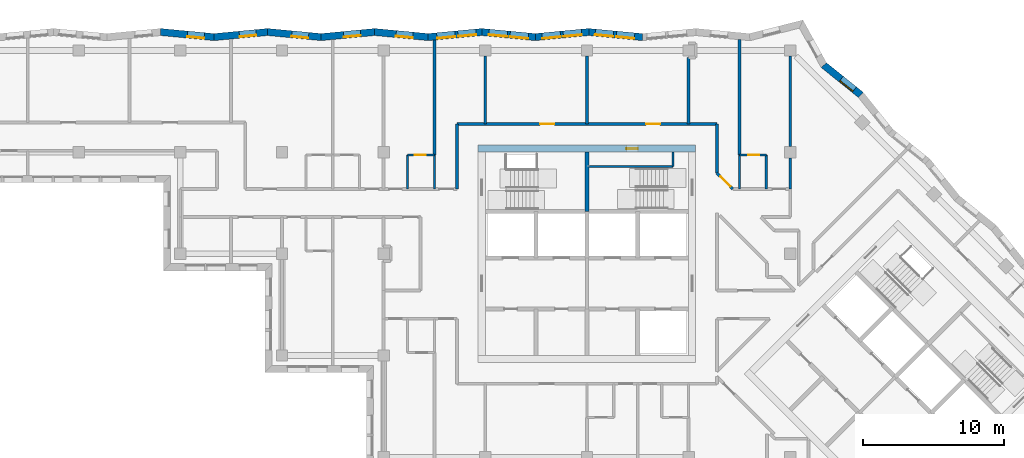
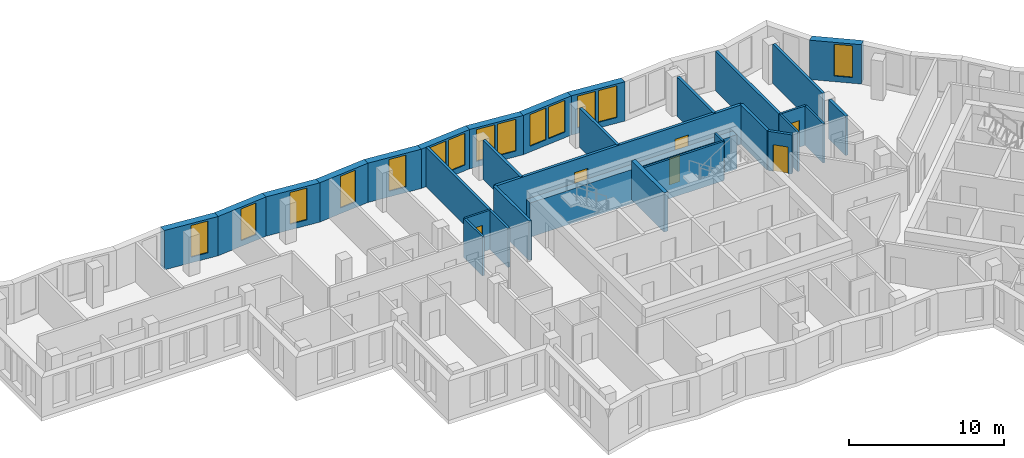
# One storey, part 6 of 11: 31 walls, 14 windows, 6 doors, 20 openings.
"""IFC4 building model written with IfcOpenShell, lengths in metres."""

from ifc_helpers import new_model, si_unit, direction, frame, frame_2d, origin, place, context, subcontext, project, spatial, polyline, rectangle, outline, extrude, material, layer, layer_set, type_object, element, fill, save


model = new_model("IFC4")

# Units and contexts
model_context = context("Model", 3, precision=1e-05, world=origin(), true_north=direction((0.0, 1.0)))
body_context = subcontext(model_context, "Body", "Model", "MODEL_VIEW")
ifc_project = project(units=[si_unit("LENGTHUNIT", "METRE"), si_unit("AREAUNIT", "SQUARE_METRE"), si_unit("VOLUMEUNIT", "CUBIC_METRE"), si_unit("PLANEANGLEUNIT", "RADIAN"), si_unit("MASSUNIT", "GRAM", prefix="KILO")], contexts=[model_context])

# Site, building, storey
site_placement = place(None, origin())
site = spatial("IfcSite", under=ifc_project, at=site_placement, CompositionType="ELEMENT")
building_placement = place(site_placement, origin())
building = spatial("IfcBuilding", under=site, at=building_placement, Name="Windrow Commons", CompositionType="ELEMENT")
storey_placement = place(building_placement, frame((0.0, 0.0, 196.4)))
storey = spatial("IfcBuildingStorey", under=building, at=storey_placement, Name="L53", CompositionType="ELEMENT", Elevation=196.4)

# Wall, opening, window
ifc_material_1 = material(Name="Brick masonry, red clay brick", Category="masonry")
ifc_layer_1 = layer(ifc_material_1, 0.5)
ifc_layer_set_1 = layer_set([ifc_layer_1], Name="Brick facade wall 500")
wall_type_1 = type_object("IfcWallType", Name="Brick facade wall 500", PredefinedType="SOLIDWALL", material=ifc_layer_set_1)
wall_1_placement = place(storey_placement, frame((84.2017, 68.8503, 0.0), z_axis=(0.0, 0.0, 1.0), x_axis=(-0.7792077814, 0.6267656926, 0.0)))
wall_1 = element("IfcWall", 1, at=wall_1_placement, inside=storey, type_object=wall_type_1, Name="Brick facade wall L53 15", PredefinedType="SOLIDWALL", context=body_context, shape_type="SweptSolid", body=[
    extrude(outline(polyline([(-0.0271, -0.25), (3.3219, -0.25), (3.4204, 0.25), (0.0271, 0.25), (-0.0271, -0.25)])), origin(), (0.0, 0.0, 1.0), 3.1),
])
opening_1_placement = place(wall_1_placement, frame((0.6019, 0.0, 0.45)))
opening_1 = element("IfcOpeningElement", 2, at=opening_1_placement, cuts=wall_1, Name="Opening W7E", PredefinedType="OPENING", context=body_context, shape_type="SweptSolid", body=[
    extrude(rectangle(XDim=1.2, YDim=2.5, at=frame_2d((0.6, 1.25))), frame((0.0, 0.26, 0.0), z_axis=(0.0, -1.0, 0.0), x_axis=(1.0, 0.0, 0.0)), (0.0, 0.0, 1.0), 0.52),
])
ifc_material_2 = material(Name="Clear float glass in anodised aluminium frame", Category="aluminium")
window_type_1 = type_object("IfcWindowType", Name="Window W7 notch 1200x2500", PartitioningType="SINGLE_PANEL", PredefinedType="WINDOW", material=ifc_material_2)
window_1_placement = place(opening_1_placement, origin())
window_1 = element("IfcWindow", 3, at=window_1_placement, inside=storey, type_object=window_type_1, Name="Window L53 15.1", OverallHeight=2.5, OverallWidth=1.2, PartitioningType="SINGLE_PANEL", PredefinedType="WINDOW", context=body_context, shape_type="SweptSolid", body=[
    extrude(rectangle(XDim=1.2, YDim=2.5, at=frame_2d((0.6, 1.25))), frame((0.0, 0.18, 0.0), z_axis=(0.0, -1.0, 0.0), x_axis=(1.0, 0.0, 0.0)), (0.0, 0.0, 1.0), 0.06),
])
fill(opening_1, window_1)

# Wall, openings, windows
wall_2_placement = place(storey_placement, frame((68.7221, 72.9489, 0.0), z_axis=(0.0, 0.0, 1.0), x_axis=(-0.9954966527, 0.0947967005, 0.0)))
wall_2 = element("IfcWall", 4, at=wall_2_placement, inside=storey, type_object=wall_type_1, Name="Brick facade wall L53 20", PredefinedType="SOLIDWALL", context=body_context, shape_type="SweptSolid", body=[
    extrude(outline(polyline([(0.0238, -0.25), (3.832, -0.25), (3.7844, 0.25), (-0.0238, 0.25), (0.0238, -0.25)])), origin(), (0.0, 0.0, 1.0), 3.1),
])
opening_2_placement = place(wall_2_placement, frame((0.554, 0.0, 0.45)))
opening_2 = element("IfcOpeningElement", 5, at=opening_2_placement, cuts=wall_2, Name="Opening W1Q", PredefinedType="OPENING", context=body_context, shape_type="SweptSolid", body=[
    extrude(rectangle(XDim=1.3, YDim=2.5, at=frame_2d((0.65, 1.25))), frame((0.0, 0.26, 0.0), z_axis=(0.0, -1.0, 0.0), x_axis=(1.0, 0.0, 0.0)), (0.0, 0.0, 1.0), 0.52),
])
opening_3_placement = place(wall_2_placement, frame((2.054, 0.0, 0.45)))
opening_3 = element("IfcOpeningElement", 6, at=opening_3_placement, cuts=wall_2, Name="Opening W1Q", PredefinedType="OPENING", context=body_context, shape_type="SweptSolid", body=[
    extrude(rectangle(XDim=1.3, YDim=2.5, at=frame_2d((0.65, 1.25))), frame((0.0, 0.26, 0.0), z_axis=(0.0, -1.0, 0.0), x_axis=(1.0, 0.0, 0.0)), (0.0, 0.0, 1.0), 0.52),
])
ifc_material_3 = material(Name="Clear float glass in anodised aluminium frame", Category="aluminium")
window_type_2 = type_object("IfcWindowType", Name="Window W1Q pair 1300x2500", PartitioningType="SINGLE_PANEL", PredefinedType="WINDOW", material=ifc_material_3)
window_2_placement = place(opening_2_placement, origin())
window_2 = element("IfcWindow", 7, at=window_2_placement, inside=storey, type_object=window_type_2, Name="Window L53 20.1A", OverallHeight=2.5, OverallWidth=1.3, PartitioningType="SINGLE_PANEL", PredefinedType="WINDOW", context=body_context, shape_type="SweptSolid", body=[
    extrude(rectangle(XDim=1.3, YDim=2.5, at=frame_2d((0.65, 1.25))), frame((0.0, 0.18, 0.0), z_axis=(0.0, -1.0, 0.0), x_axis=(1.0, 0.0, 0.0)), (0.0, 0.0, 1.0), 0.06),
])
fill(opening_2, window_2)
window_3_placement = place(opening_3_placement, origin())
window_3 = element("IfcWindow", 8, at=window_3_placement, inside=storey, type_object=window_type_2, Name="Window L53 20.1B", OverallHeight=2.5, OverallWidth=1.3, PartitioningType="SINGLE_PANEL", PredefinedType="WINDOW", context=body_context, shape_type="SweptSolid", body=[
    extrude(rectangle(XDim=1.3, YDim=2.5, at=frame_2d((0.65, 1.25))), frame((0.0, 0.18, 0.0), z_axis=(0.0, -1.0, 0.0), x_axis=(1.0, 0.0, 0.0)), (0.0, 0.0, 1.0), 0.06),
])
fill(opening_3, window_3)

wall_3_placement = place(storey_placement, frame((64.9311, 73.3099, 0.0), z_axis=(0.0, 0.0, 1.0), x_axis=(-0.9954966527, -0.0947967005, 0.0)))
wall_3 = element("IfcWall", 9, at=wall_3_placement, inside=storey, type_object=wall_type_1, Name="Brick facade wall L53 21", PredefinedType="SOLIDWALL", context=body_context, shape_type="SweptSolid", body=[
    extrude(outline(polyline([(-0.0238, -0.25), (3.7844, -0.25), (3.832, 0.25), (0.0238, 0.25), (-0.0238, -0.25)])), origin(), (0.0, 0.0, 1.0), 3.1),
])
opening_4_placement = place(wall_3_placement, frame((0.516, 0.0, 0.45)))
opening_4 = element("IfcOpeningElement", 10, at=opening_4_placement, cuts=wall_3, Name="Opening W1Q", PredefinedType="OPENING", context=body_context, shape_type="SweptSolid", body=[
    extrude(rectangle(XDim=1.3, YDim=2.5, at=frame_2d((0.65, 1.25))), frame((0.0, 0.26, 0.0), z_axis=(0.0, -1.0, 0.0), x_axis=(1.0, 0.0, 0.0)), (0.0, 0.0, 1.0), 0.52),
])
opening_5_placement = place(wall_3_placement, frame((2.016, 0.0, 0.45)))
opening_5 = element("IfcOpeningElement", 11, at=opening_5_placement, cuts=wall_3, Name="Opening W1Q", PredefinedType="OPENING", context=body_context, shape_type="SweptSolid", body=[
    extrude(rectangle(XDim=1.3, YDim=2.5, at=frame_2d((0.65, 1.25))), frame((0.0, 0.26, 0.0), z_axis=(0.0, -1.0, 0.0), x_axis=(1.0, 0.0, 0.0)), (0.0, 0.0, 1.0), 0.52),
])
window_4_placement = place(opening_4_placement, origin())
window_4 = element("IfcWindow", 12, at=window_4_placement, inside=storey, type_object=window_type_2, Name="Window L53 21.1A", OverallHeight=2.5, OverallWidth=1.3, PartitioningType="SINGLE_PANEL", PredefinedType="WINDOW", context=body_context, shape_type="SweptSolid", body=[
    extrude(rectangle(XDim=1.3, YDim=2.5, at=frame_2d((0.65, 1.25))), frame((0.0, 0.18, 0.0), z_axis=(0.0, -1.0, 0.0), x_axis=(1.0, 0.0, 0.0)), (0.0, 0.0, 1.0), 0.06),
])
fill(opening_4, window_4)
window_5_placement = place(opening_5_placement, origin())
window_5 = element("IfcWindow", 13, at=window_5_placement, inside=storey, type_object=window_type_2, Name="Window L53 21.1B", OverallHeight=2.5, OverallWidth=1.3, PartitioningType="SINGLE_PANEL", PredefinedType="WINDOW", context=body_context, shape_type="SweptSolid", body=[
    extrude(rectangle(XDim=1.3, YDim=2.5, at=frame_2d((0.65, 1.25))), frame((0.0, 0.18, 0.0), z_axis=(0.0, -1.0, 0.0), x_axis=(1.0, 0.0, 0.0)), (0.0, 0.0, 1.0), 0.06),
])
fill(opening_5, window_5)

wall_4_placement = place(storey_placement, frame((61.1401, 72.9489, 0.0), z_axis=(0.0, 0.0, 1.0), x_axis=(-0.9954966527, 0.0947967005, 0.0)))
wall_4 = element("IfcWall", 14, at=wall_4_placement, inside=storey, type_object=wall_type_1, Name="Brick facade wall L53 22", PredefinedType="SOLIDWALL", context=body_context, shape_type="SweptSolid", body=[
    extrude(outline(polyline([(0.0238, -0.25), (3.832, -0.25), (3.7844, 0.25), (-0.0238, 0.25), (0.0238, -0.25)])), origin(), (0.0, 0.0, 1.0), 3.1),
])
opening_6_placement = place(wall_4_placement, frame((0.4922, 0.0, 0.45)))
opening_6 = element("IfcOpeningElement", 15, at=opening_6_placement, cuts=wall_4, Name="Opening W1Q", PredefinedType="OPENING", context=body_context, shape_type="SweptSolid", body=[
    extrude(rectangle(XDim=1.3, YDim=2.5, at=frame_2d((0.65, 1.25))), frame((0.0, 0.26, 0.0), z_axis=(0.0, -1.0, 0.0), x_axis=(1.0, 0.0, 0.0)), (0.0, 0.0, 1.0), 0.52),
])
opening_7_placement = place(wall_4_placement, frame((1.9922, 0.0, 0.45)))
opening_7 = element("IfcOpeningElement", 16, at=opening_7_placement, cuts=wall_4, Name="Opening W1Q", PredefinedType="OPENING", context=body_context, shape_type="SweptSolid", body=[
    extrude(rectangle(XDim=1.3, YDim=2.5, at=frame_2d((0.65, 1.25))), frame((0.0, 0.26, 0.0), z_axis=(0.0, -1.0, 0.0), x_axis=(1.0, 0.0, 0.0)), (0.0, 0.0, 1.0), 0.52),
])
window_6_placement = place(opening_6_placement, origin())
window_6 = element("IfcWindow", 17, at=window_6_placement, inside=storey, type_object=window_type_2, Name="Window L53 22.1A", OverallHeight=2.5, OverallWidth=1.3, PartitioningType="SINGLE_PANEL", PredefinedType="WINDOW", context=body_context, shape_type="SweptSolid", body=[
    extrude(rectangle(XDim=1.3, YDim=2.5, at=frame_2d((0.65, 1.25))), frame((0.0, 0.18, 0.0), z_axis=(0.0, -1.0, 0.0), x_axis=(1.0, 0.0, 0.0)), (0.0, 0.0, 1.0), 0.06),
])
fill(opening_6, window_6)
window_7_placement = place(opening_7_placement, origin())
window_7 = element("IfcWindow", 18, at=window_7_placement, inside=storey, type_object=window_type_2, Name="Window L53 22.1B", OverallHeight=2.5, OverallWidth=1.3, PartitioningType="SINGLE_PANEL", PredefinedType="WINDOW", context=body_context, shape_type="SweptSolid", body=[
    extrude(rectangle(XDim=1.3, YDim=2.5, at=frame_2d((0.65, 1.25))), frame((0.0, 0.18, 0.0), z_axis=(0.0, -1.0, 0.0), x_axis=(1.0, 0.0, 0.0)), (0.0, 0.0, 1.0), 0.06),
])
fill(opening_7, window_7)

wall_5_placement = place(storey_placement, frame((57.3491, 73.3099, 0.0), z_axis=(0.0, 0.0, 1.0), x_axis=(-0.9954966527, -0.0947967005, 0.0)))
wall_5 = element("IfcWall", 19, at=wall_5_placement, inside=storey, type_object=wall_type_1, Name="Brick facade wall L53 23", PredefinedType="SOLIDWALL", context=body_context, shape_type="SweptSolid", body=[
    extrude(outline(polyline([(-0.0238, -0.25), (3.7844, -0.25), (3.832, 0.25), (0.0238, 0.25), (-0.0238, -0.25)])), origin(), (0.0, 0.0, 1.0), 3.1),
])
opening_8_placement = place(wall_5_placement, frame((0.394, 0.0, 0.45)))
opening_8 = element("IfcOpeningElement", 20, at=opening_8_placement, cuts=wall_5, Name="Opening W1Q", PredefinedType="OPENING", context=body_context, shape_type="SweptSolid", body=[
    extrude(rectangle(XDim=1.3, YDim=2.5, at=frame_2d((0.65, 1.25))), frame((0.0, 0.26, 0.0), z_axis=(0.0, -1.0, 0.0), x_axis=(1.0, 0.0, 0.0)), (0.0, 0.0, 1.0), 0.52),
])
opening_9_placement = place(wall_5_placement, frame((1.894, 0.0, 0.45)))
opening_9 = element("IfcOpeningElement", 21, at=opening_9_placement, cuts=wall_5, Name="Opening W1Q", PredefinedType="OPENING", context=body_context, shape_type="SweptSolid", body=[
    extrude(rectangle(XDim=1.3, YDim=2.5, at=frame_2d((0.65, 1.25))), frame((0.0, 0.26, 0.0), z_axis=(0.0, -1.0, 0.0), x_axis=(1.0, 0.0, 0.0)), (0.0, 0.0, 1.0), 0.52),
])
window_8_placement = place(opening_8_placement, origin())
window_8 = element("IfcWindow", 22, at=window_8_placement, inside=storey, type_object=window_type_2, Name="Window L53 23.1A", OverallHeight=2.5, OverallWidth=1.3, PartitioningType="SINGLE_PANEL", PredefinedType="WINDOW", context=body_context, shape_type="SweptSolid", body=[
    extrude(rectangle(XDim=1.3, YDim=2.5, at=frame_2d((0.65, 1.25))), frame((0.0, 0.18, 0.0), z_axis=(0.0, -1.0, 0.0), x_axis=(1.0, 0.0, 0.0)), (0.0, 0.0, 1.0), 0.06),
])
fill(opening_8, window_8)
window_9_placement = place(opening_9_placement, origin())
window_9 = element("IfcWindow", 23, at=window_9_placement, inside=storey, type_object=window_type_2, Name="Window L53 23.1B", OverallHeight=2.5, OverallWidth=1.3, PartitioningType="SINGLE_PANEL", PredefinedType="WINDOW", context=body_context, shape_type="SweptSolid", body=[
    extrude(rectangle(XDim=1.3, YDim=2.5, at=frame_2d((0.65, 1.25))), frame((0.0, 0.18, 0.0), z_axis=(0.0, -1.0, 0.0), x_axis=(1.0, 0.0, 0.0)), (0.0, 0.0, 1.0), 0.06),
])
fill(opening_9, window_9)

# Wall, opening, window
wall_6_placement = place(storey_placement, frame((53.5581, 72.9489, 0.0), z_axis=(0.0, 0.0, 1.0), x_axis=(-0.9954966527, 0.0947967005, 0.0)))
wall_6 = element("IfcWall", 24, at=wall_6_placement, inside=storey, type_object=wall_type_1, Name="Brick facade wall L53 24", PredefinedType="SOLIDWALL", context=body_context, shape_type="SweptSolid", body=[
    extrude(outline(polyline([(0.0238, -0.25), (3.832, -0.25), (3.7844, 0.25), (-0.0238, 0.25), (0.0238, -0.25)])), origin(), (0.0, 0.0, 1.0), 3.1),
])
opening_10_placement = place(wall_6_placement, frame((1.0862, 0.0, 0.45)))
opening_10 = element("IfcOpeningElement", 25, at=opening_10_placement, cuts=wall_6, Name="Opening W7E", PredefinedType="OPENING", context=body_context, shape_type="SweptSolid", body=[
    extrude(rectangle(XDim=1.2, YDim=2.5, at=frame_2d((0.6, 1.25))), frame((0.0, 0.26, 0.0), z_axis=(0.0, -1.0, 0.0), x_axis=(1.0, 0.0, 0.0)), (0.0, 0.0, 1.0), 0.52),
])
window_10_placement = place(opening_10_placement, origin())
window_10 = element("IfcWindow", 26, at=window_10_placement, inside=storey, type_object=window_type_1, Name="Window L53 24.1", OverallHeight=2.5, OverallWidth=1.2, PartitioningType="SINGLE_PANEL", PredefinedType="WINDOW", context=body_context, shape_type="SweptSolid", body=[
    extrude(rectangle(XDim=1.2, YDim=2.5, at=frame_2d((0.6, 1.25))), frame((0.0, 0.18, 0.0), z_axis=(0.0, -1.0, 0.0), x_axis=(1.0, 0.0, 0.0)), (0.0, 0.0, 1.0), 0.06),
])
fill(opening_10, window_10)

wall_7_placement = place(storey_placement, frame((49.7671, 73.3099, 0.0), z_axis=(0.0, 0.0, 1.0), x_axis=(-0.9954966527, -0.0947967005, 0.0)))
wall_7 = element("IfcWall", 27, at=wall_7_placement, inside=storey, type_object=wall_type_1, Name="Brick facade wall L53 25", PredefinedType="SOLIDWALL", context=body_context, shape_type="SweptSolid", body=[
    extrude(outline(polyline([(-0.0238, -0.25), (3.7844, -0.25), (3.832, 0.25), (0.0238, 0.25), (-0.0238, -0.25)])), origin(), (0.0, 0.0, 1.0), 3.1),
])
opening_11_placement = place(wall_7_placement, frame((1.0022, 0.0, 0.45)))
opening_11 = element("IfcOpeningElement", 28, at=opening_11_placement, cuts=wall_7, Name="Opening W7E", PredefinedType="OPENING", context=body_context, shape_type="SweptSolid", body=[
    extrude(rectangle(XDim=1.2, YDim=2.5, at=frame_2d((0.6, 1.25))), frame((0.0, 0.26, 0.0), z_axis=(0.0, -1.0, 0.0), x_axis=(1.0, 0.0, 0.0)), (0.0, 0.0, 1.0), 0.52),
])
window_11_placement = place(opening_11_placement, origin())
window_11 = element("IfcWindow", 29, at=window_11_placement, inside=storey, type_object=window_type_1, Name="Window L53 25.1", OverallHeight=2.5, OverallWidth=1.2, PartitioningType="SINGLE_PANEL", PredefinedType="WINDOW", context=body_context, shape_type="SweptSolid", body=[
    extrude(rectangle(XDim=1.2, YDim=2.5, at=frame_2d((0.6, 1.25))), frame((0.0, 0.18, 0.0), z_axis=(0.0, -1.0, 0.0), x_axis=(1.0, 0.0, 0.0)), (0.0, 0.0, 1.0), 0.06),
])
fill(opening_11, window_11)

wall_8_placement = place(storey_placement, frame((45.9761, 72.9489, 0.0), z_axis=(0.0, 0.0, 1.0), x_axis=(-0.9954966527, 0.0947967005, 0.0)))
wall_8 = element("IfcWall", 30, at=wall_8_placement, inside=storey, type_object=wall_type_1, Name="Brick facade wall L53 26", PredefinedType="SOLIDWALL", context=body_context, shape_type="SweptSolid", body=[
    extrude(outline(polyline([(0.0238, -0.25), (3.832, -0.25), (3.7844, 0.25), (-0.0238, 0.25), (0.0238, -0.25)])), origin(), (0.0, 0.0, 1.0), 3.1),
])
opening_12_placement = place(wall_8_placement, frame((0.8943, 0.0, 0.45)))
opening_12 = element("IfcOpeningElement", 31, at=opening_12_placement, cuts=wall_8, Name="Opening W7E", PredefinedType="OPENING", context=body_context, shape_type="SweptSolid", body=[
    extrude(rectangle(XDim=1.2, YDim=2.5, at=frame_2d((0.6, 1.25))), frame((0.0, 0.26, 0.0), z_axis=(0.0, -1.0, 0.0), x_axis=(1.0, 0.0, 0.0)), (0.0, 0.0, 1.0), 0.52),
])
window_12_placement = place(opening_12_placement, origin())
window_12 = element("IfcWindow", 32, at=window_12_placement, inside=storey, type_object=window_type_1, Name="Window L53 26.1", OverallHeight=2.5, OverallWidth=1.2, PartitioningType="SINGLE_PANEL", PredefinedType="WINDOW", context=body_context, shape_type="SweptSolid", body=[
    extrude(rectangle(XDim=1.2, YDim=2.5, at=frame_2d((0.6, 1.25))), frame((0.0, 0.18, 0.0), z_axis=(0.0, -1.0, 0.0), x_axis=(1.0, 0.0, 0.0)), (0.0, 0.0, 1.0), 0.06),
])
fill(opening_12, window_12)

wall_9_placement = place(storey_placement, frame((42.1851, 73.3099, 0.0), z_axis=(0.0, 0.0, 1.0), x_axis=(-0.9954968887, -0.0947942225, 0.0)))
wall_9 = element("IfcWall", 33, at=wall_9_placement, inside=storey, type_object=wall_type_1, Name="Brick facade wall L53 27", PredefinedType="SOLIDWALL", context=body_context, shape_type="SweptSolid", body=[
    extrude(outline(polyline([(-0.0238, -0.25), (3.7844, -0.25), (3.832, 0.25), (0.0238, 0.25), (-0.0238, -0.25)])), origin(), (0.0, 0.0, 1.0), 3.1),
])
opening_13_placement = place(wall_9_placement, frame((0.8103, 0.0, 0.45)))
opening_13 = element("IfcOpeningElement", 34, at=opening_13_placement, cuts=wall_9, Name="Opening W7E", PredefinedType="OPENING", context=body_context, shape_type="SweptSolid", body=[
    extrude(rectangle(XDim=1.2, YDim=2.5, at=frame_2d((0.6, 1.25))), frame((0.0, 0.26, 0.0), z_axis=(0.0, -1.0, 0.0), x_axis=(1.0, 0.0, 0.0)), (0.0, 0.0, 1.0), 0.52),
])
window_13_placement = place(opening_13_placement, origin())
window_13 = element("IfcWindow", 35, at=window_13_placement, inside=storey, type_object=window_type_1, Name="Window L53 27.1", OverallHeight=2.5, OverallWidth=1.2, PartitioningType="SINGLE_PANEL", PredefinedType="WINDOW", context=body_context, shape_type="SweptSolid", body=[
    extrude(rectangle(XDim=1.2, YDim=2.5, at=frame_2d((0.6, 1.25))), frame((0.0, 0.18, 0.0), z_axis=(0.0, -1.0, 0.0), x_axis=(1.0, 0.0, 0.0)), (0.0, 0.0, 1.0), 0.06),
])
fill(opening_13, window_13)

wall_10_placement = place(storey_placement, frame((38.394, 72.9489, 0.0), z_axis=(0.0, 0.0, 1.0), x_axis=(-0.9954966527, 0.0947967005, 0.0)))
wall_10 = element("IfcWall", 36, at=wall_10_placement, inside=storey, type_object=wall_type_1, Name="Brick facade wall L53 28", PredefinedType="SOLIDWALL", context=body_context, shape_type="SweptSolid", body=[
    extrude(outline(polyline([(0.0238, -0.25), (3.832, -0.25), (3.7844, 0.25), (-0.0238, 0.25), (0.0238, -0.25)])), origin(), (0.0, 0.0, 1.0), 3.1),
])
opening_14_placement = place(wall_10_placement, frame((0.7024, 0.0, 0.45)))
opening_14 = element("IfcOpeningElement", 37, at=opening_14_placement, cuts=wall_10, Name="Opening W7E", PredefinedType="OPENING", context=body_context, shape_type="SweptSolid", body=[
    extrude(rectangle(XDim=1.2, YDim=2.5, at=frame_2d((0.6, 1.25))), frame((0.0, 0.26, 0.0), z_axis=(0.0, -1.0, 0.0), x_axis=(1.0, 0.0, 0.0)), (0.0, 0.0, 1.0), 0.52),
])
window_14_placement = place(opening_14_placement, origin())
window_14 = element("IfcWindow", 38, at=window_14_placement, inside=storey, type_object=window_type_1, Name="Window L53 28.1", OverallHeight=2.5, OverallWidth=1.2, PartitioningType="SINGLE_PANEL", PredefinedType="WINDOW", context=body_context, shape_type="SweptSolid", body=[
    extrude(rectangle(XDim=1.2, YDim=2.5, at=frame_2d((0.6, 1.25))), frame((0.0, 0.18, 0.0), z_axis=(0.0, -1.0, 0.0), x_axis=(1.0, 0.0, 0.0)), (0.0, 0.0, 1.0), 0.06),
])
fill(opening_14, window_14)

# Wall, openings, doors
ifc_material_4 = material(Name="Blockwork partition", Category="masonry")
ifc_layer_2 = layer(ifc_material_4, 0.2)
ifc_layer_set_2 = layer_set([ifc_layer_2], Name="IW-CORRIDOR-200")
wall_type_2 = type_object("IfcWallType", Name="IW-CORRIDOR-200", PredefinedType="PARTITIONING", material=ifc_layer_set_2)
wall_11_placement = place(storey_placement, frame((55.6, 66.8, 0.0), z_axis=(0.0, 0.0, 1.0), x_axis=(1.0, 0.0, 0.0)))
wall_11 = element("IfcWall", 39, at=wall_11_placement, inside=storey, type_object=wall_type_2, Name="W-L53-W002", PredefinedType="PARTITIONING", context=body_context, shape_type="SweptSolid", body=[
    extrude(rectangle(XDim=18.4, YDim=0.2, at=frame_2d((9.2, 0.0))), origin(), (0.0, 0.0, 1.0), 3.1),
])
opening_15_placement = place(wall_11_placement, frame((5.8862, 0.0, 0.0)))
opening_15 = element("IfcOpeningElement", 40, at=opening_15_placement, cuts=wall_11, Name="Opening D310F", PredefinedType="OPENING", context=body_context, shape_type="SweptSolid", body=[
    extrude(rectangle(XDim=1.0, YDim=2.1, at=frame_2d((0.5, 1.05))), frame((0.0, 0.11, 0.0), z_axis=(0.0, -1.0, 0.0), x_axis=(1.0, 0.0, 0.0)), (0.0, 0.0, 1.0), 0.22),
])
opening_16_placement = place(wall_11_placement, frame((13.3887, 0.0, 0.0)))
opening_16 = element("IfcOpeningElement", 41, at=opening_16_placement, cuts=wall_11, Name="Opening D310F", PredefinedType="OPENING", context=body_context, shape_type="SweptSolid", body=[
    extrude(rectangle(XDim=1.0, YDim=2.1, at=frame_2d((0.5, 1.05))), frame((0.0, 0.11, 0.0), z_axis=(0.0, -1.0, 0.0), x_axis=(1.0, 0.0, 0.0)), (0.0, 0.0, 1.0), 0.22),
])
ifc_material_5 = material(Name="Timber door leaf", Category="wood")
door_type_1 = type_object("IfcDoorType", Name="DT-AMENITY-1000", OperationType="SINGLE_SWING_LEFT", PredefinedType="DOOR", material=ifc_material_5)
door_1_placement = place(opening_15_placement, origin())
door_1 = element("IfcDoor", 42, at=door_1_placement, inside=storey, type_object=door_type_1, Name="D-L53-D004", OperationType="SINGLE_SWING_RIGHT", OverallHeight=2.1, OverallWidth=1.0, PredefinedType="DOOR", context=body_context, shape_type="SweptSolid", body=[
    extrude(rectangle(XDim=1.0, YDim=2.1, at=frame_2d((0.5, 1.05))), frame((0.0, 0.025, 0.0), z_axis=(0.0, -1.0, 0.0), x_axis=(1.0, 0.0, 0.0)), (0.0, 0.0, 1.0), 0.05),
])
fill(opening_15, door_1)
door_2_placement = place(opening_16_placement, origin())
door_2 = element("IfcDoor", 43, at=door_2_placement, inside=storey, type_object=door_type_1, Name="D-L53-D005", OperationType="SINGLE_SWING_RIGHT", OverallHeight=2.1, OverallWidth=1.0, PredefinedType="DOOR", context=body_context, shape_type="SweptSolid", body=[
    extrude(rectangle(XDim=1.0, YDim=2.1, at=frame_2d((0.5, 1.05))), frame((0.0, 0.025, 0.0), z_axis=(0.0, -1.0, 0.0), x_axis=(1.0, 0.0, 0.0)), (0.0, 0.0, 1.0), 0.05),
])
fill(opening_16, door_2)

# Walls
wall_12_placement = place(storey_placement, frame((55.6, 62.202, 0.0), z_axis=(0.0, 0.0, 1.0), x_axis=(0.0, 1.0, 0.0)))
element("IfcWall", 44, at=wall_12_placement, inside=storey, type_object=wall_type_2, Name="W-L53-W044", PredefinedType="PARTITIONING", context=body_context, shape_type="SweptSolid", body=[
    extrude(rectangle(XDim=4.598, YDim=0.2, at=frame_2d((2.299, 0.0))), origin(), (0.0, 0.0, 1.0), 3.1),
])
wall_13_placement = place(storey_placement, frame((74.0, 63.342, 0.0), z_axis=(0.0, 0.0, 1.0), x_axis=(0.0, 1.0, 0.0)))
element("IfcWall", 45, at=wall_13_placement, inside=storey, type_object=wall_type_2, Name="W-L53-W051", PredefinedType="PARTITIONING", context=body_context, shape_type="SweptSolid", body=[
    extrude(rectangle(XDim=3.458, YDim=0.2, at=frame_2d((1.729, 0.0))), origin(), (0.0, 0.0, 1.0), 3.1),
])

# Wall, opening, door
wall_14_placement = place(storey_placement, frame((73.9971, 63.3371, 0.0), z_axis=(0.0, 0.0, 1.0), x_axis=(0.7071067812, -0.7071067812, 0.0)))
wall_14 = element("IfcWall", 46, at=wall_14_placement, inside=storey, type_object=wall_type_2, Name="W-L53-W115", PredefinedType="PARTITIONING", context=body_context, shape_type="SweptSolid", body=[
    extrude(rectangle(XDim=1.6122, YDim=0.2, at=frame_2d((0.8061, 0.0))), origin(), (0.0, 0.0, 1.0), 3.1),
])
opening_17_placement = place(wall_14_placement, frame((0.3573, 0.0, 0.0)))
opening_17 = element("IfcOpeningElement", 47, at=opening_17_placement, cuts=wall_14, Name="Opening D310F", PredefinedType="OPENING", context=body_context, shape_type="SweptSolid", body=[
    extrude(rectangle(XDim=1.0, YDim=2.1, at=frame_2d((0.5, 1.05))), frame((0.0, 0.11, 0.0), z_axis=(0.0, -1.0, 0.0), x_axis=(1.0, 0.0, 0.0)), (0.0, 0.0, 1.0), 0.22),
])
door_3_placement = place(opening_17_placement, origin())
door_3 = element("IfcDoor", 48, at=door_3_placement, inside=storey, type_object=door_type_1, Name="D-L53-D017", OperationType="SINGLE_SWING_RIGHT", OverallHeight=2.1, OverallWidth=1.0, PredefinedType="DOOR", context=body_context, shape_type="SweptSolid", body=[
    extrude(rectangle(XDim=1.0, YDim=2.1, at=frame_2d((0.5, 1.05))), frame((0.0, 0.025, 0.0), z_axis=(0.0, -1.0, 0.0), x_axis=(1.0, 0.0, 0.0)), (0.0, 0.0, 1.0), 0.05),
])
fill(opening_17, door_3)

# Walls
ifc_material_6 = material(Name="Blockwork partition", Category="masonry")
ifc_layer_3 = layer(ifc_material_6, 0.15)
ifc_layer_set_3 = layer_set([ifc_layer_3], Name="IW-ENSUITE-150")
wall_type_3 = type_object("IfcWallType", Name="IW-ENSUITE-150", PredefinedType="PARTITIONING", material=ifc_layer_set_3)
for number, where, z_axis, x_axis, name in (
    (49, (52.1, 62.2, 0.0), (0.0, 0.0, 1.0), (0.0, 1.0, 0.0), "W-L53-W077"),
    (50, (54.0, 62.2, 0.0), (0.0, 0.0, 1.0), (0.0, 1.0, 0.0), "W-L53-W078"),
    (51, (75.6, 62.2, 0.0), (0.0, 0.0, 1.0), (0.0, 1.0, 0.0), "W-L53-W079"),
    (52, (77.5, 62.2, 0.0), (0.0, 0.0, 1.0), (0.0, 1.0, 0.0), "W-L53-W080"),
):
    element("IfcWall", number, at=place(storey_placement, frame(where, z_axis=z_axis, x_axis=x_axis)), inside=storey, type_object=wall_type_3, Name=name, PredefinedType="PARTITIONING", context=body_context, shape_type="SweptSolid", body=[
        extrude(rectangle(XDim=2.4, YDim=0.15, at=frame_2d((1.2, 0.0))), origin(), (0.0, 0.0, 1.0), 3.1),
    ])

# Wall, opening, door
wall_15_placement = place(storey_placement, frame((75.6, 64.6, 0.0), z_axis=(0.0, 0.0, 1.0), x_axis=(1.0, 0.0, 0.0)))
wall_15 = element("IfcWall", 53, at=wall_15_placement, inside=storey, type_object=wall_type_3, Name="W-L53-W104", PredefinedType="PARTITIONING", context=body_context, shape_type="SweptSolid", body=[
    extrude(rectangle(XDim=1.9, YDim=0.15, at=frame_2d((0.95, 0.0))), origin(), (0.0, 0.0, 1.0), 3.1),
])
opening_18_placement = place(wall_15_placement, frame((0.6069, 0.0, 0.0)))
opening_18 = element("IfcOpeningElement", 54, at=opening_18_placement, cuts=wall_15, Name="Opening D208N", PredefinedType="OPENING", context=body_context, shape_type="SweptSolid", body=[
    extrude(rectangle(XDim=0.8, YDim=2.1, at=frame_2d((0.4, 1.05))), frame((0.0, 0.085, 0.0), z_axis=(0.0, -1.0, 0.0), x_axis=(1.0, 0.0, 0.0)), (0.0, 0.0, 1.0), 0.17),
])
ifc_material_7 = material(Name="Timber door leaf", Category="wood")
door_type_2 = type_object("IfcDoorType", Name="DT-ENSUITE-800", OperationType="SINGLE_SWING_LEFT", PredefinedType="DOOR", material=ifc_material_7)
door_4_placement = place(opening_18_placement, origin())
door_4 = element("IfcDoor", 55, at=door_4_placement, inside=storey, type_object=door_type_2, Name="D-L53-D019", OperationType="SINGLE_SWING_RIGHT", OverallHeight=2.1, OverallWidth=0.8, PredefinedType="DOOR", context=body_context, shape_type="SweptSolid", body=[
    extrude(rectangle(XDim=0.8, YDim=2.1, at=frame_2d((0.4, 1.05))), frame((0.0, 0.025, 0.0), z_axis=(0.0, -1.0, 0.0), x_axis=(1.0, 0.0, 0.0)), (0.0, 0.0, 1.0), 0.05),
])
fill(opening_18, door_4)

wall_16_placement = place(storey_placement, frame((52.1, 64.6, 0.0), z_axis=(0.0, 0.0, 1.0), x_axis=(1.0, 0.0, 0.0)))
wall_16 = element("IfcWall", 56, at=wall_16_placement, inside=storey, type_object=wall_type_3, Name="W-L53-W108", PredefinedType="PARTITIONING", context=body_context, shape_type="SweptSolid", body=[
    extrude(rectangle(XDim=1.9, YDim=0.15, at=frame_2d((0.95, 0.0))), origin(), (0.0, 0.0, 1.0), 3.1),
])
opening_19_placement = place(wall_16_placement, frame((0.4931, 0.0, 0.0)))
opening_19 = element("IfcOpeningElement", 57, at=opening_19_placement, cuts=wall_16, Name="Opening D208N", PredefinedType="OPENING", context=body_context, shape_type="SweptSolid", body=[
    extrude(rectangle(XDim=0.8, YDim=2.1, at=frame_2d((0.4, 1.05))), frame((0.0, 0.085, 0.0), z_axis=(0.0, -1.0, 0.0), x_axis=(1.0, 0.0, 0.0)), (0.0, 0.0, 1.0), 0.17),
])
door_5_placement = place(opening_19_placement, origin())
door_5 = element("IfcDoor", 58, at=door_5_placement, inside=storey, type_object=door_type_2, Name="D-L53-D015", OperationType="SINGLE_SWING_RIGHT", OverallHeight=2.1, OverallWidth=0.8, PredefinedType="DOOR", context=body_context, shape_type="SweptSolid", body=[
    extrude(rectangle(XDim=0.8, YDim=2.1, at=frame_2d((0.4, 1.05))), frame((0.0, 0.025, 0.0), z_axis=(0.0, -1.0, 0.0), x_axis=(1.0, 0.0, 0.0)), (0.0, 0.0, 1.0), 0.05),
])
fill(opening_19, door_5)

# Walls
ifc_material_8 = material(Name="Blockwork partition", Category="masonry")
ifc_layer_4 = layer(ifc_material_8, 0.2)
ifc_layer_set_4 = layer_set([ifc_layer_4], Name="IW-PARTY-200")
wall_type_4 = type_object("IfcWallType", Name="IW-PARTY-200", PredefinedType="PARTITIONING", material=ifc_layer_set_4)
wall_17_placement = place(storey_placement, frame((75.6, 64.6, 0.0), z_axis=(0.0, 0.0, 1.0), x_axis=(0.0, 1.0, 0.0)))
element("IfcWall", 59, at=wall_17_placement, inside=storey, type_object=wall_type_4, Name="W-L53-W013", PredefinedType="PARTITIONING", context=body_context, shape_type="SweptSolid", body=[
    extrude(rectangle(XDim=8.1648, YDim=0.2, at=frame_2d((4.0824, 0.0))), origin(), (0.0, 0.0, 1.0), 3.1),
])
wall_18_placement = place(storey_placement, frame((54.0, 64.6, 0.0), z_axis=(0.0, 0.0, 1.0), x_axis=(0.0, 1.0, 0.0)))
element("IfcWall", 60, at=wall_18_placement, inside=storey, type_object=wall_type_4, Name="W-L53-W014", PredefinedType="PARTITIONING", context=body_context, shape_type="SweptSolid", body=[
    extrude(rectangle(XDim=8.1398, YDim=0.2, at=frame_2d((4.0699, 0.0))), origin(), (0.0, 0.0, 1.0), 3.1),
])
wall_19_placement = place(storey_placement, frame((79.2, 65.2, 0.0), z_axis=(0.0, 0.0, 1.0), x_axis=(0.0, 1.0, 0.0)))
element("IfcWall", 61, at=wall_19_placement, inside=storey, type_object=wall_type_4, Name="W-L53-W022", PredefinedType="PARTITIONING", context=body_context, shape_type="SweptSolid", body=[
    extrude(rectangle(XDim=6.4, YDim=0.2, at=frame_2d((3.2, 0.0))), origin(), (0.0, 0.0, 1.0), 3.1),
])
for number, where, z_axis, x_axis, name in (
    (62, (57.6, 66.8, 0.0), (0.0, 0.0, 1.0), (0.0, 1.0, 0.0), "W-L53-W038"),
    (63, (64.8, 66.8, 0.0), (0.0, 0.0, 1.0), (0.0, 1.0, 0.0), "W-L53-W039"),
):
    element("IfcWall", number, at=place(storey_placement, frame(where, z_axis=z_axis, x_axis=x_axis)), inside=storey, type_object=wall_type_4, Name=name, PredefinedType="PARTITIONING", context=body_context, shape_type="SweptSolid", body=[
        extrude(rectangle(XDim=4.8, YDim=0.2, at=frame_2d((2.4, 0.0))), origin(), (0.0, 0.0, 1.0), 3.1),
    ])
wall_20_placement = place(storey_placement, frame((72.0, 66.8, 0.0), z_axis=(0.0, 0.0, 1.0), x_axis=(0.0, 1.0, 0.0)))
element("IfcWall", 64, at=wall_20_placement, inside=storey, type_object=wall_type_4, Name="W-L53-W042", PredefinedType="PARTITIONING", context=body_context, shape_type="SweptSolid", body=[
    extrude(rectangle(XDim=4.696, YDim=0.2, at=frame_2d((2.348, 0.0))), origin(), (0.0, 0.0, 1.0), 3.1),
])
wall_21_placement = place(storey_placement, frame((79.2, 62.2, 0.0), z_axis=(0.0, 0.0, 1.0), x_axis=(0.0, 1.0, 0.0)))
element("IfcWall", 65, at=wall_21_placement, inside=storey, type_object=wall_type_4, Name="W-L53-W091", PredefinedType="PARTITIONING", context=body_context, shape_type="SweptSolid", body=[
    extrude(rectangle(XDim=2.2, YDim=0.2, at=frame_2d((1.1, 0.0))), origin(), (0.0, 0.0, 1.0), 3.1),
])

# Wall, opening, door
ifc_material_9 = material(Name="Concrete C40/50", Category="concrete")
ifc_layer_5 = layer(ifc_material_9, 0.5)
ifc_layer_set_5 = layer_set([ifc_layer_5], Name="RC CORE WALL 500 C40/50")
wall_type_5 = type_object("IfcWallType", Name="RC CORE WALL 500 C40/50", PredefinedType="SHEAR", material=ifc_layer_set_5)
wall_22_placement = place(storey_placement, frame((57.1, 65.05, -0.3), z_axis=(0.0, 0.0, 1.0), x_axis=(1.0, 0.0, 0.0)))
wall_22 = element("IfcWall", 66, at=wall_22_placement, inside=storey, type_object=wall_type_5, Name="Core A wall outer-N", PredefinedType="SHEAR", context=body_context, shape_type="SweptSolid", body=[
    extrude(rectangle(XDim=15.4, YDim=0.5, at=frame_2d((7.7, 0.0))), origin(), (0.0, 0.0, 1.0), 2.7),
])
opening_20_placement = place(wall_22_placement, frame((10.5, 0.0, 0.3)))
opening_20 = element("IfcOpeningElement", 67, at=opening_20_placement, cuts=wall_22, Name="Opening D9", PredefinedType="OPENING", context=body_context, shape_type="SweptSolid", body=[
    extrude(rectangle(XDim=0.8, YDim=2.1, at=frame_2d((0.4, 1.05))), frame((0.0, 0.26, 0.0), z_axis=(0.0, -1.0, 0.0), x_axis=(1.0, 0.0, 0.0)), (0.0, 0.0, 1.0), 0.52),
])
ifc_material_10 = material(Name="Steel fire door leaf", Category="steel")
door_type_3 = type_object("IfcDoorType", Name="Riser access door 800", OperationType="SINGLE_SWING_LEFT", PredefinedType="DOOR", material=ifc_material_10)
door_6_placement = place(opening_20_placement, origin())
door_6 = element("IfcDoor", 68, at=door_6_placement, inside=storey, type_object=door_type_3, Name="Riser access door", OperationType="SINGLE_SWING_RIGHT", OverallHeight=2.1, OverallWidth=0.8, PredefinedType="DOOR", context=body_context, shape_type="SweptSolid", body=[
    extrude(rectangle(XDim=0.8, YDim=2.1, at=frame_2d((0.4, 1.05))), frame((0.0, 0.025, 0.0), z_axis=(0.0, -1.0, 0.0), x_axis=(1.0, 0.0, 0.0)), (0.0, 0.0, 1.0), 0.05),
])
fill(opening_20, door_6)

# Walls
ifc_material_11 = material(Name="Concrete C40/50", Category="concrete")
ifc_layer_6 = layer(ifc_material_11, 0.3)
ifc_layer_set_6 = layer_set([ifc_layer_6], Name="RC SHAFT WALL 300 C40/50")
wall_type_6 = type_object("IfcWallType", Name="RC SHAFT WALL 300 C40/50", PredefinedType="SOLIDWALL", material=ifc_layer_set_6)
wall_23_placement = place(storey_placement, frame((64.8, 60.6, 0.0), z_axis=(0.0, 0.0, 1.0), x_axis=(0.0, 1.0, 0.0)))
element("IfcWall", 69, at=wall_23_placement, inside=storey, type_object=wall_type_6, Name="Core A wall stair-mid", PredefinedType="SOLIDWALL", context=body_context, shape_type="SweptSolid", body=[
    extrude(rectangle(XDim=4.2, YDim=0.3, at=frame_2d((2.1, 0.0))), origin(), (0.0, 0.0, 1.0), 3.1),
])
ifc_material_12 = material(Name="Blockwork partition", Category="masonry")
ifc_layer_7 = layer(ifc_material_12, 0.15)
ifc_layer_set_7 = layer_set([ifc_layer_7], Name="Riser partition 150")
wall_type_7 = type_object("IfcWallType", Name="Riser partition 150", PredefinedType="PARTITIONING", material=ifc_layer_set_7)
wall_24_placement = place(storey_placement, frame((64.95, 63.78, 0.0), z_axis=(0.0, 0.0, 1.0), x_axis=(1.0, 0.0, 0.0)))
element("IfcWall", 70, at=wall_24_placement, inside=storey, type_object=wall_type_7, Name="W-core-strip-A-L53", PredefinedType="PARTITIONING", context=body_context, shape_type="SweptSolid", body=[
    extrude(rectangle(XDim=5.95, YDim=0.15, at=frame_2d((2.975, 0.0))), origin(), (0.0, 0.0, 1.0), 3.1),
])
wall_25_placement = place(storey_placement, frame((70.9, 63.78, 0.0), z_axis=(0.0, 0.0, 1.0), x_axis=(0.0, 1.0, 0.0)))
element("IfcWall", 71, at=wall_25_placement, inside=storey, type_object=wall_type_7, Name="W-core-stripx-A-L53-1", PredefinedType="PARTITIONING", context=body_context, shape_type="SweptSolid", body=[
    extrude(rectangle(XDim=1.02, YDim=0.15, at=frame_2d((0.51, 0.0))), origin(), (0.0, 0.0, 1.0), 3.1),
])

save(model, "model.ifc")
